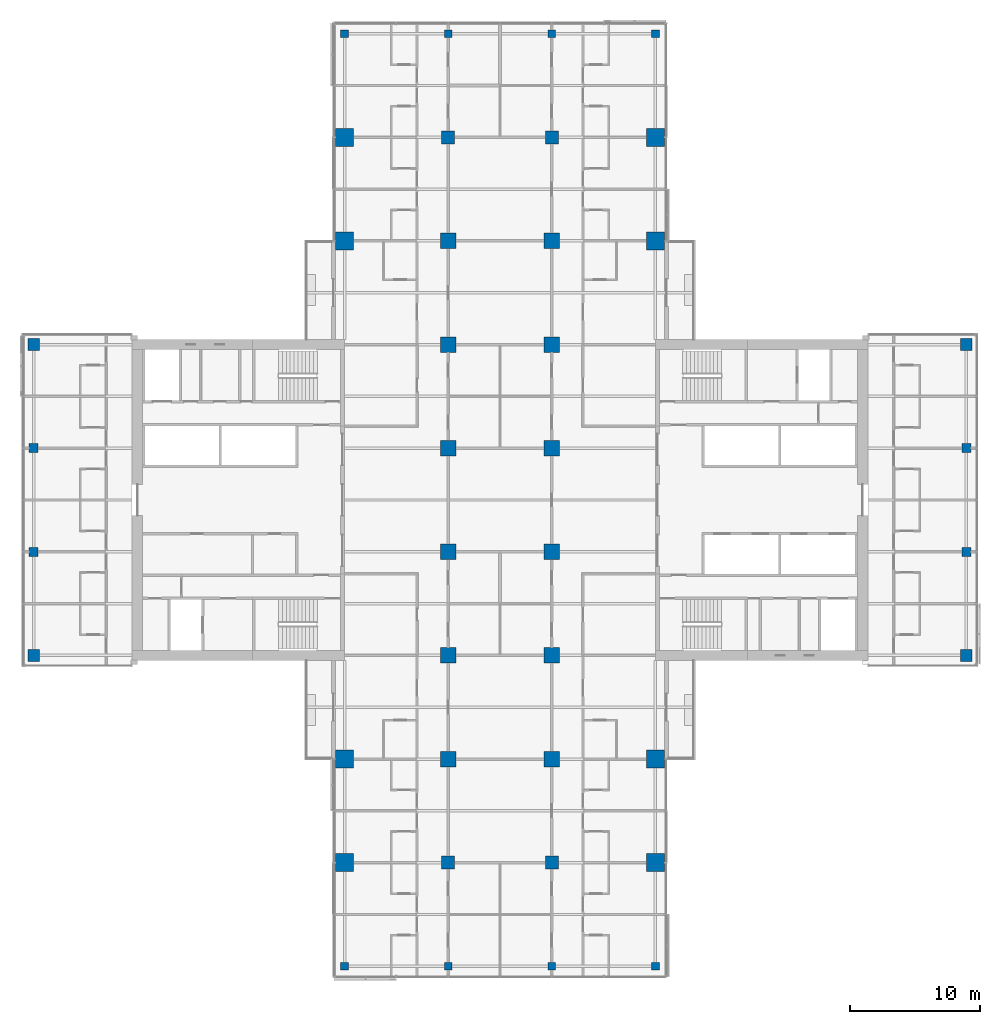
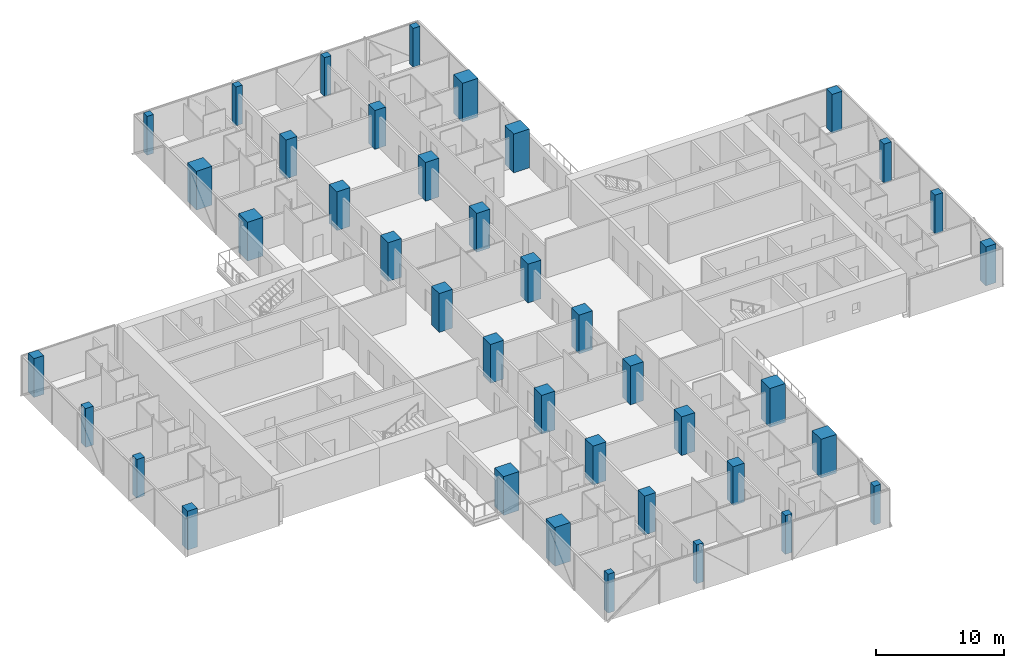
# One storey, part 1 of 29: 40 columns.
"""IFC4 building model written with IfcOpenShell, lengths in metres."""

from ifc_helpers import new_model, si_unit, direction, frame, origin, origin_2d, place, context, subcontext, project, spatial, rectangle, extrude, material, material_profile, profile_set, type_object, element, save


model = new_model("IFC4")

# Units and contexts
model_context = context("Model", 3, precision=1e-05, world=origin(), true_north=direction((0.0, 1.0)))
body_context = subcontext(model_context, "Body", "Model", "MODEL_VIEW")
ifc_project = project(units=[si_unit("LENGTHUNIT", "METRE"), si_unit("AREAUNIT", "SQUARE_METRE"), si_unit("VOLUMEUNIT", "CUBIC_METRE"), si_unit("PLANEANGLEUNIT", "RADIAN"), si_unit("MASSUNIT", "GRAM", prefix="KILO")], contexts=[model_context])

# Site, building, storey
site_placement = place(None, origin())
site = spatial("IfcSite", under=ifc_project, at=site_placement, CompositionType="ELEMENT")
building_placement = place(site_placement, origin())
building = spatial("IfcBuilding", under=site, at=building_placement, Name="Crosswind Convention Tower", CompositionType="ELEMENT")
storey_placement = place(building_placement, frame((0.0, 0.0, 57.199951171875)))
storey = spatial("IfcBuildingStorey", under=building, at=storey_placement, Name="L08", CompositionType="ELEMENT", Elevation=57.199951171875)

# Columns
ifc_material_1 = material(Name="Concrete C70/85", Category="concrete")
ifc_material_profile_1 = material_profile(ifc_material_1, rectangle(XDim=1.0, YDim=1.0, at=origin_2d()), Name="RC 1000X1000")
ifc_profile_set_1 = profile_set([ifc_material_profile_1], Name="Concrete C70/85")
column_type_1 = type_object("IfcColumnType", Name="Column RC 1000X1000", PredefinedType="COLUMN", material=ifc_profile_set_1)
for number, where, z_axis, x_axis, name in (
    (1, (121.0, 72.0, 0.0), (0.0, 0.0, 1.0), (1.0, 0.0, 0.0), "C12 L08 6/C"),
    (2, (121.0, 128.0, 0.0), (0.0, 0.0, 1.0), (1.0, 0.0, 0.0), "C12 L08 6/J"),
    (3, (129.0, 72.0, 0.0), (0.0, 0.0, 1.0), (1.0, 0.0, 0.0), "C12 L08 7/C"),
    (4, (129.0, 128.0, 0.0), (0.0, 0.0, 1.0), (1.0, 0.0, 0.0), "C12 L08 7/J"),
):
    element("IfcColumn", number, at=place(storey_placement, frame(where, z_axis=z_axis, x_axis=x_axis)), inside=storey, type_object=column_type_1, Name=name, PredefinedType="COLUMN", context=body_context, shape_type="SweptSolid", body=[
        extrude(rectangle(XDim=1.0, YDim=1.0, at=origin_2d()), origin(), (0.0, 0.0, 1.0), 3.699951171875),
    ])
ifc_material_profile_2 = material_profile(ifc_material_1, rectangle(XDim=1.199951171875, YDim=1.199951171875, at=origin_2d()), Name="RC 1200X1200")
ifc_profile_set_2 = profile_set([ifc_material_profile_2], Name="Concrete C70/85")
column_type_2 = type_object("IfcColumnType", Name="Column RC 1200X1200", PredefinedType="COLUMN", material=ifc_profile_set_2)
for number, where, z_axis, x_axis, name in (
    (5, (121.0, 80.0, 0.0), (0.0, 0.0, 1.0), (1.0, 0.0, 0.0), "C11 L08 6/D"),
    (6, (121.0, 88.0, 0.0), (0.0, 0.0, 1.0), (1.0, 0.0, 0.0), "C11 L08 6/E"),
    (7, (121.0, 96.0, 0.0), (0.0, 0.0, 1.0), (1.0, 0.0, 0.0), "C11 L08 6/F"),
    (8, (121.0, 104.0, 0.0), (0.0, 0.0, 1.0), (1.0, 0.0, 0.0), "C11 L08 6/G"),
    (9, (121.0, 112.0, 0.0), (0.0, 0.0, 1.0), (1.0, 0.0, 0.0), "C11 L08 6/H"),
    (10, (121.0, 120.0, 0.0), (0.0, 0.0, 1.0), (1.0, 0.0, 0.0), "C11 L08 6/I"),
    (11, (129.0, 80.0, 0.0), (0.0, 0.0, 1.0), (1.0, 0.0, 0.0), "C11 L08 7/D"),
    (12, (129.0, 88.0, 0.0), (0.0, 0.0, 1.0), (1.0, 0.0, 0.0), "C11 L08 7/E"),
    (13, (129.0, 96.0, 0.0), (0.0, 0.0, 1.0), (1.0, 0.0, 0.0), "C11 L08 7/F"),
    (14, (129.0, 104.0, 0.0), (0.0, 0.0, 1.0), (1.0, 0.0, 0.0), "C11 L08 7/G"),
    (15, (129.0, 112.0, 0.0), (0.0, 0.0, 1.0), (1.0, 0.0, 0.0), "C11 L08 7/H"),
    (16, (129.0, 120.0, 0.0), (0.0, 0.0, 1.0), (1.0, 0.0, 0.0), "C11 L08 7/I"),
):
    element("IfcColumn", number, at=place(storey_placement, frame(where, z_axis=z_axis, x_axis=x_axis)), inside=storey, type_object=column_type_2, Name=name, PredefinedType="COLUMN", context=body_context, shape_type="SweptSolid", body=[
        extrude(rectangle(XDim=1.199951171875, YDim=1.199951171875, at=origin_2d()), origin(), (0.0, 0.0, 1.0), 3.699951171875),
    ])
ifc_material_2 = material(Name="Concrete C80/95", Category="concrete")
ifc_material_profile_3 = material_profile(ifc_material_2, rectangle(XDim=1.39990234375, YDim=1.39990234375, at=origin_2d()), Name="RC 1400X1400")
ifc_profile_set_3 = profile_set([ifc_material_profile_3], Name="Concrete C80/95")
column_type_3 = type_object("IfcColumnType", Name="Column RC 1400X1400", PredefinedType="COLUMN", material=ifc_profile_set_3)
for number, where, z_axis, x_axis, name in (
    (17, (113.0, 72.0, 0.0), (0.0, 0.0, 1.0), (1.0, 0.0, 0.0), "C10 L08 5/C"),
    (18, (113.0, 80.0, 0.0), (0.0, 0.0, 1.0), (1.0, 0.0, 0.0), "C10 L08 5/D"),
    (19, (113.0, 120.0, 0.0), (0.0, 0.0, 1.0), (1.0, 0.0, 0.0), "C10 L08 5/I"),
    (20, (113.0, 128.0, 0.0), (0.0, 0.0, 1.0), (1.0, 0.0, 0.0), "C10 L08 5/J"),
    (21, (137.0, 72.0, 0.0), (0.0, 0.0, 1.0), (1.0, 0.0, 0.0), "C10 L08 8/C"),
    (22, (137.0, 80.0, 0.0), (0.0, 0.0, 1.0), (1.0, 0.0, 0.0), "C10 L08 8/D"),
    (23, (137.0, 120.0, 0.0), (0.0, 0.0, 1.0), (1.0, 0.0, 0.0), "C10 L08 8/I"),
    (24, (137.0, 128.0, 0.0), (0.0, 0.0, 1.0), (1.0, 0.0, 0.0), "C10 L08 8/J"),
):
    element("IfcColumn", number, at=place(storey_placement, frame(where, z_axis=z_axis, x_axis=x_axis)), inside=storey, type_object=column_type_3, Name=name, PredefinedType="COLUMN", context=body_context, shape_type="SweptSolid", body=[
        extrude(rectangle(XDim=1.39990234375, YDim=1.39990234375, at=origin_2d()), origin(), (0.0, 0.0, 1.0), 3.699951171875),
    ])
ifc_material_3 = material(Name="Concrete C60/75", Category="concrete")
ifc_material_profile_4 = material_profile(ifc_material_3, rectangle(XDim=0.60009765625, YDim=0.60009765625, at=origin_2d()), Name="RC 600X600")
ifc_profile_set_4 = profile_set([ifc_material_profile_4], Name="Concrete C60/75")
column_type_4 = type_object("IfcColumnType", Name="Column RC 600X600", PredefinedType="COLUMN", material=ifc_profile_set_4)
for number, where, z_axis, x_axis, name in (
    (25, (113.0, 64.0, 0.0), (0.0, 0.0, 1.0), (1.0, 0.0, 0.0), "C16 L08 5/B"),
    (26, (113.0, 136.0, 0.0), (0.0, 0.0, 1.0), (1.0, 0.0, 0.0), "C16 L08 5/K"),
    (27, (121.0, 64.0, 0.0), (0.0, 0.0, 1.0), (1.0, 0.0, 0.0), "C16 L08 6/B"),
    (28, (121.0, 136.0, 0.0), (0.0, 0.0, 1.0), (1.0, 0.0, 0.0), "C16 L08 6/K"),
    (29, (129.0, 64.0, 0.0), (0.0, 0.0, 1.0), (1.0, 0.0, 0.0), "C16 L08 7/B"),
    (30, (129.0, 136.0, 0.0), (0.0, 0.0, 1.0), (1.0, 0.0, 0.0), "C16 L08 7/K"),
    (31, (137.0, 64.0, 0.0), (0.0, 0.0, 1.0), (1.0, 0.0, 0.0), "C16 L08 8/B"),
    (32, (137.0, 136.0, 0.0), (0.0, 0.0, 1.0), (1.0, 0.0, 0.0), "C16 L08 8/K"),
):
    element("IfcColumn", number, at=place(storey_placement, frame(where, z_axis=z_axis, x_axis=x_axis)), inside=storey, type_object=column_type_4, Name=name, PredefinedType="COLUMN", context=body_context, shape_type="SweptSolid", body=[
        extrude(rectangle(XDim=0.60009765625, YDim=0.60009765625, at=origin_2d()), origin(), (0.0, 0.0, 1.0), 3.699951171875),
    ])
ifc_material_profile_5 = material_profile(ifc_material_3, rectangle(XDim=0.699951171875, YDim=0.699951171875, at=origin_2d()), Name="RC 700X700")
ifc_profile_set_5 = profile_set([ifc_material_profile_5], Name="Concrete C60/75")
column_type_5 = type_object("IfcColumnType", Name="Column RC 700X700", PredefinedType="COLUMN", material=ifc_profile_set_5)
for number, where, z_axis, x_axis, name in (
    (33, (89.0, 96.0, 0.0), (0.0, 0.0, 1.0), (1.0, 0.0, 0.0), "C15 L08 2/F"),
    (34, (89.0, 104.0, 0.0), (0.0, 0.0, 1.0), (1.0, 0.0, 0.0), "C15 L08 2/G"),
    (35, (161.0, 96.0, 0.0), (0.0, 0.0, 1.0), (1.0, 0.0, 0.0), "C15 L08 11/F"),
    (36, (161.0, 104.0, 0.0), (0.0, 0.0, 1.0), (1.0, 0.0, 0.0), "C15 L08 11/G"),
):
    element("IfcColumn", number, at=place(storey_placement, frame(where, z_axis=z_axis, x_axis=x_axis)), inside=storey, type_object=column_type_5, Name=name, PredefinedType="COLUMN", context=body_context, shape_type="SweptSolid", body=[
        extrude(rectangle(XDim=0.699951171875, YDim=0.699951171875, at=origin_2d()), origin(), (0.0, 0.0, 1.0), 3.699951171875),
    ])
ifc_material_profile_6 = material_profile(ifc_material_3, rectangle(XDim=0.89990234375, YDim=0.89990234375, at=origin_2d()), Name="RC 900X900")
ifc_profile_set_6 = profile_set([ifc_material_profile_6], Name="Concrete C60/75")
column_type_6 = type_object("IfcColumnType", Name="Column RC 900X900", PredefinedType="COLUMN", material=ifc_profile_set_6)
for number, where, z_axis, x_axis, name in (
    (37, (89.0, 88.0, 0.0), (0.0, 0.0, 1.0), (1.0, 0.0, 0.0), "C13 L08 2/E"),
    (38, (89.0, 112.0, 0.0), (0.0, 0.0, 1.0), (1.0, 0.0, 0.0), "C13 L08 2/H"),
    (39, (161.0, 88.0, 0.0), (0.0, 0.0, 1.0), (1.0, 0.0, 0.0), "C13 L08 11/E"),
    (40, (161.0, 112.0, 0.0), (0.0, 0.0, 1.0), (1.0, 0.0, 0.0), "C13 L08 11/H"),
):
    element("IfcColumn", number, at=place(storey_placement, frame(where, z_axis=z_axis, x_axis=x_axis)), inside=storey, type_object=column_type_6, Name=name, PredefinedType="COLUMN", context=body_context, shape_type="SweptSolid", body=[
        extrude(rectangle(XDim=0.89990234375, YDim=0.89990234375, at=origin_2d()), origin(), (0.0, 0.0, 1.0), 3.699951171875),
    ])

save(model, "model.ifc")
